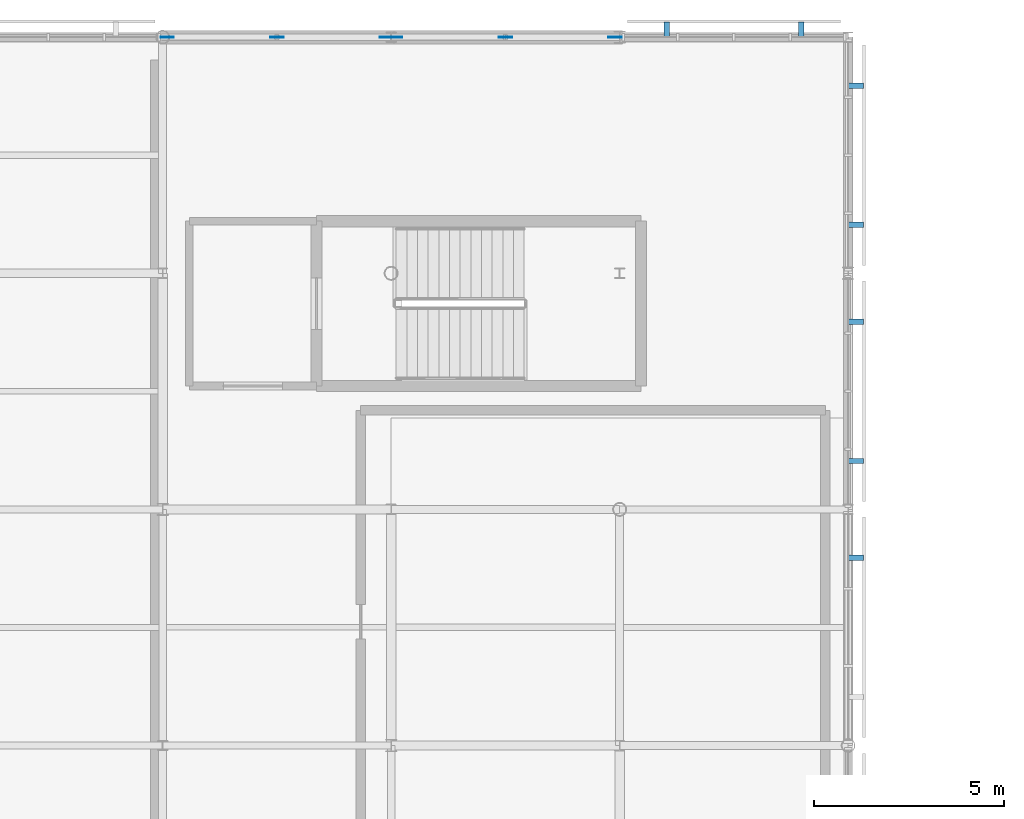
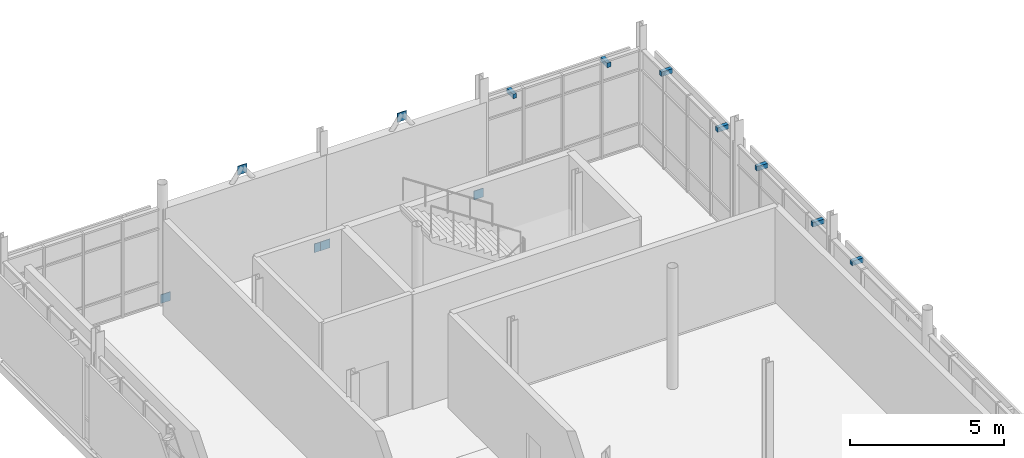
# One storey, part 54 of 66: 13 discrete accessories.
"""IFC4 building model written with IfcOpenShell, lengths in metres."""

from ifc_helpers import new_model, si_unit, direction, frame, origin, origin_2d, place, context, subcontext, project, spatial, rectangle, extrude, material, type_object, element, save


model = new_model("IFC4")

# Units and contexts
model_context = context("Model", 3, precision=1e-05, world=origin(), true_north=direction((0.0, 1.0)))
body_context = subcontext(model_context, "Body", "Model", "MODEL_VIEW")
ifc_project = project(units=[si_unit("LENGTHUNIT", "METRE"), si_unit("AREAUNIT", "SQUARE_METRE"), si_unit("VOLUMEUNIT", "CUBIC_METRE"), si_unit("PLANEANGLEUNIT", "RADIAN"), si_unit("MASSUNIT", "GRAM", prefix="KILO")], contexts=[model_context])

# Site, building, storey
site_placement = place(None, origin())
site = spatial("IfcSite", under=ifc_project, at=site_placement, CompositionType="ELEMENT")
building_placement = place(site_placement, origin())
building = spatial("IfcBuilding", under=site, at=building_placement, Name="Mirzam Square Science Centre", CompositionType="ELEMENT")
storey_placement = place(building_placement, frame((0.0, 0.0, 15.60009765625)))
storey = spatial("IfcBuildingStorey", under=building, at=storey_placement, Name="L03", CompositionType="ELEMENT", Elevation=15.60009765625)

# Discrete accessories
ifc_material = material(Name="Steel S355", Category="steel")
discrete_accessory_type_1 = type_object("IfcDiscreteAccessoryType", Name="BK-BRACE-GUSSET", PredefinedType="BRACKET", material=ifc_material)
for number, where, z_axis, x_axis, name in (
    (1, (120.1201171875, 111.60009765625, -0.005126953125), (0.0, 0.0, 1.0), (1.0, 0.0, 0.0), "L03 brace gusset plate 8A"),
    (2, (125.8798828125, 111.60009765625, -0.005126953125), (0.0, 0.0, 1.0), (1.0, 0.0, 0.0), "L03 brace gusset plate 8B"),
    (3, (123.0, 111.60009765625, 4.079833984375), (0.0, 0.0, 1.0), (1.0, 0.0, 0.0), "L03 brace apex gusset plate 8"),
    (4, (126.1201171875, 111.60009765625, -0.005126953125), (0.0, 0.0, 1.0), (1.0, 0.0, 0.0), "L03 brace gusset plate 9A"),
    (5, (131.8798828125, 111.60009765625, -0.005126953125), (0.0, 0.0, 1.0), (1.0, 0.0, 0.0), "L03 brace gusset plate 9B"),
    (6, (129.0, 111.60009765625, 4.079833984375), (0.0, 0.0, 1.0), (1.0, 0.0, 0.0), "L03 brace apex gusset plate 9"),
):
    element("IfcDiscreteAccessory", number, at=place(storey_placement, frame(where, z_axis=z_axis, x_axis=x_axis)), inside=storey, type_object=discrete_accessory_type_1, Name=name, PredefinedType="BRACKET", context=body_context, shape_type="SweptSolid", body=[
        extrude(rectangle(XDim=0.35009765625, YDim=0.02490234375, at=origin_2d()), origin(), (0.0, 0.0, 1.0), 0.35009765625),
    ])
discrete_accessory_type_2 = type_object("IfcDiscreteAccessoryType", Name="BRK-BRISE-STEEL", PredefinedType="BRACKET", material=ifc_material)
for number, where, z_axis, x_axis, name in (
    (7, (136.76708984375, 111.7900390625, 3.5), (0.0, 0.0, 1.0), (-1.0, 0.0, 0.0), "L03 brise-soleil support bracket 127"),
    (8, (133.23291015625, 111.7900390625, 3.5), (0.0, 0.0, 1.0), (-1.0, 0.0, 0.0), "L03 brise-soleil support bracket 127"),
    (9, (138.18994140625, 97.927001953125, 3.5), (0.0, 0.0, 1.0), (0.0, 1.0, 0.0), "L03 brise-soleil support bracket 131"),
    (10, (138.18994140625, 100.472900390625, 3.5), (0.0, 0.0, 1.0), (0.0, 1.0, 0.0), "L03 brise-soleil support bracket 133"),
    (11, (138.18994140625, 104.126953125, 3.5), (0.0, 0.0, 1.0), (0.0, 1.0, 0.0), "L03 brise-soleil support bracket 133"),
    (12, (138.18994140625, 106.673095703125, 3.5), (0.0, 0.0, 1.0), (0.0, 1.0, 0.0), "L03 brise-soleil support bracket 135"),
    (13, (138.18994140625, 110.326904296875, 3.5), (0.0, 0.0, 1.0), (0.0, 1.0, 0.0), "L03 brise-soleil support bracket 135"),
):
    element("IfcDiscreteAccessory", number, at=place(storey_placement, frame(where, z_axis=z_axis, x_axis=x_axis)), inside=storey, type_object=discrete_accessory_type_2, Name=name, PredefinedType="BRACKET", context=body_context, shape_type="SweptSolid", body=[
        extrude(rectangle(XDim=0.139892578125, YDim=0.419921875, at=origin_2d()), origin(), (0.0, 0.0, 1.0), 0.179931640625),
    ])

save(model, "model.ifc")
